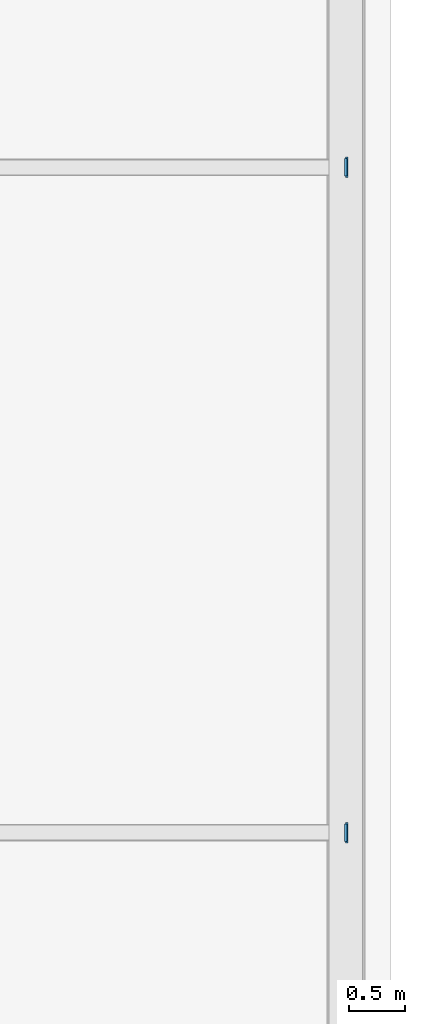
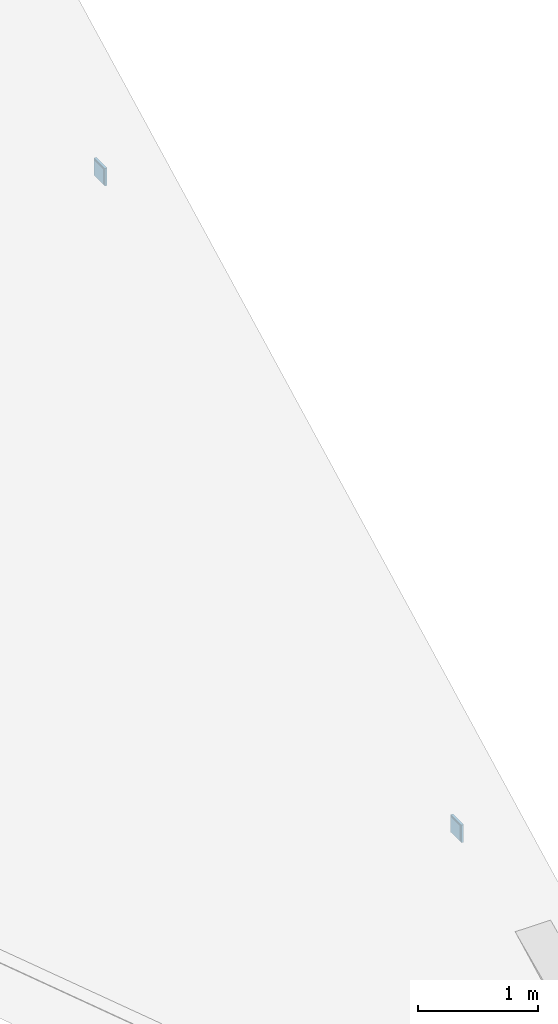
# One storey, part 37 of 45: 4 plates.
"""IFC4 building model written with IfcOpenShell, lengths in metres."""

from ifc_helpers import new_model, si_unit, direction, frame, origin, origin_2d, place, context, subcontext, project, spatial, rectangle, extrude, material, layer, layer_set, type_object, element, save


model = new_model("IFC4")

# Units and contexts
model_context = context("Model", 3, precision=1e-05, world=origin(), true_north=direction((0.0, 1.0)))
body_context = subcontext(model_context, "Body", "Model", "MODEL_VIEW")
ifc_project = project(units=[si_unit("LENGTHUNIT", "METRE"), si_unit("AREAUNIT", "SQUARE_METRE"), si_unit("VOLUMEUNIT", "CUBIC_METRE"), si_unit("PLANEANGLEUNIT", "RADIAN"), si_unit("MASSUNIT", "GRAM", prefix="KILO")], contexts=[model_context])

# Site, building, storey
site_placement = place(None, origin())
site = spatial("IfcSite", under=ifc_project, at=site_placement, CompositionType="ELEMENT")
building_placement = place(site_placement, origin())
building = spatial("IfcBuilding", under=site, at=building_placement, Name="Zhaolan Boulevard Law Courts", CompositionType="ELEMENT")
storey_placement = place(building_placement, frame((0.0, 0.0, 24.60009765625)))
storey = spatial("IfcBuildingStorey", under=building, at=storey_placement, Name="L05", CompositionType="ELEMENT", Elevation=24.60009765625)

# Plates
ifc_material = material(Name="Structural steel Q355B", Category="steel")
ifc_layer = layer(ifc_material, 0.02001953125)
ifc_layer_set = layer_set([ifc_layer])
plate_type = type_object("IfcPlateType", Name="END CAP PLATE 20", PredefinedType="SHEET", material=ifc_layer_set)
for number, where, z_axis, x_axis, name in (
    (1, (44.0, 83.949951171875, 2.62109375), (0.0, 0.0, 1.0), (1.0, 0.0, 0.0), "Library Purlin End-Cap Plate ECP-LPR1SE"),
    (2, (44.0, 89.89990234375, 5.701171875), (0.0, 0.0, 1.0), (1.0, 0.0, 0.0), "Library Purlin End-Cap Plate ECP-LPR2SE"),
):
    element("IfcPlate", number, at=place(storey_placement, frame(where, z_axis=z_axis, x_axis=x_axis)), inside=storey, type_object=plate_type, Name=name, PredefinedType="SHEET", context=body_context, shape_type="SweptSolid", body=[
        extrude(rectangle(XDim=0.02001953125, YDim=0.159912109375, at=origin_2d()), origin(), (0.0, 0.0, 1.0), 0.159912109375),
    ])
for number, where, z_axis, x_axis, name in (
    (3, (44.008056640625, 83.949951171875, 2.61083984375), (0.0, 0.0, 1.0), (1.0, 0.0, 0.0), "Hollow Section End-Cap Plate ECP-1482"),
    (4, (44.008056640625, 89.89990234375, 5.69091796875), (0.0, 0.0, 1.0), (1.0, 0.0, 0.0), "Hollow Section End-Cap Plate ECP-1486"),
):
    element("IfcPlate", number, at=place(storey_placement, frame(where, z_axis=z_axis, x_axis=x_axis)), inside=storey, type_object=plate_type, Name=name, PredefinedType="SHEET", context=body_context, shape_type="SweptSolid", body=[
        extrude(rectangle(XDim=0.02001953125, YDim=0.179931640625, at=origin_2d()), origin(), (0.0, 0.0, 1.0), 0.179931640625),
    ])

save(model, "model.ifc")
